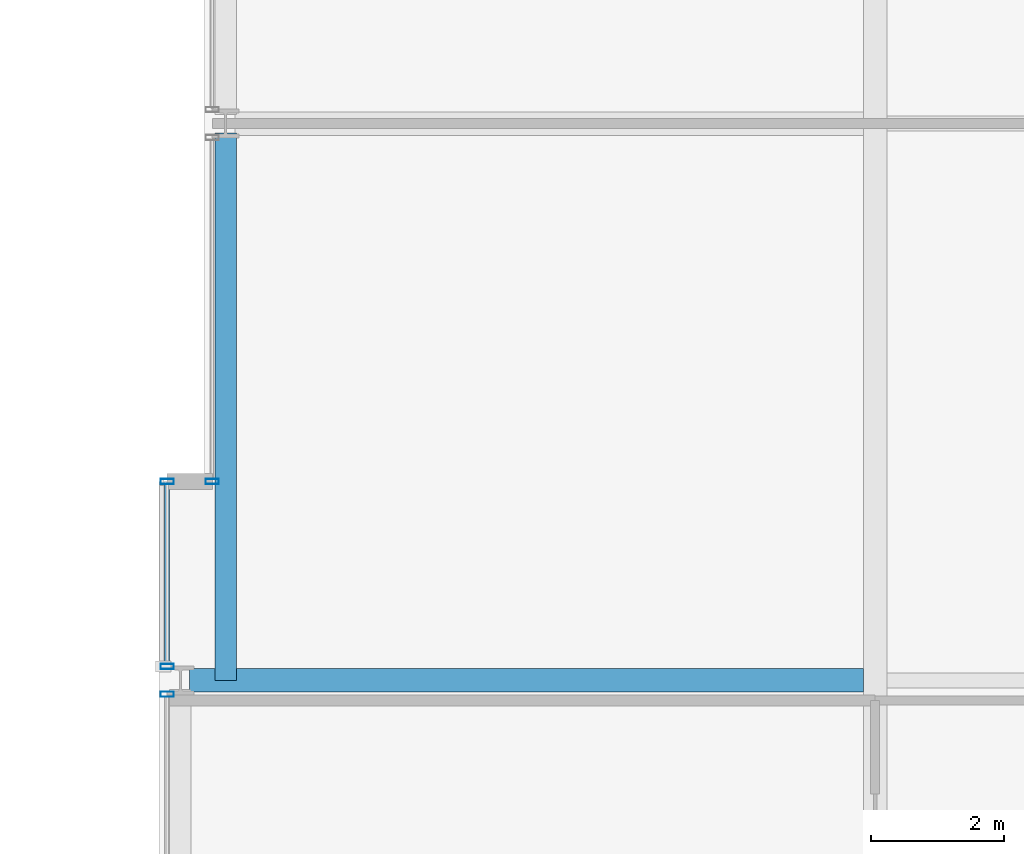
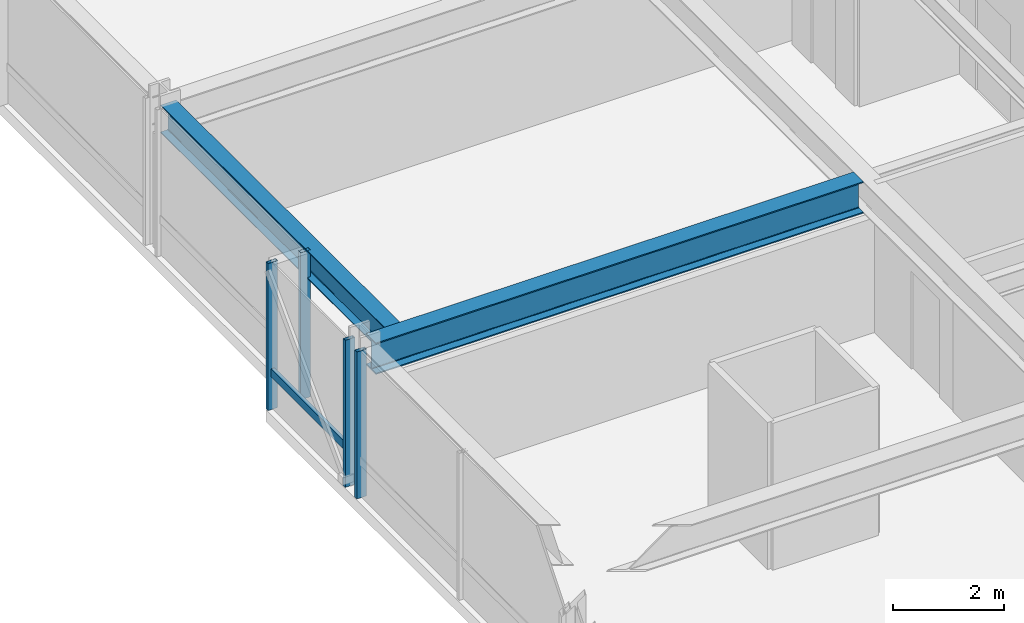
# One storey, part 7 of 34: 5 members, 2 beams, 3 elements without a shape of their own.
"""IFC4 building model written with IfcOpenShell, lengths in metres."""

from ifc_helpers import new_model, si_unit, direction, frame, origin, origin_2d, place, context, subcontext, project, spatial, hollow_rectangle, i_section, extrude, material, layer, layer_set, material_profile, profile_set, type_object, element, aggregate, save


model = new_model("IFC4")

# Units and contexts
model_context = context("Model", 3, precision=1e-05, world=origin(), true_north=direction((0.0, 1.0)))
body_context = subcontext(model_context, "Body", "Model", "MODEL_VIEW")
ifc_project = project(units=[si_unit("LENGTHUNIT", "METRE"), si_unit("AREAUNIT", "SQUARE_METRE"), si_unit("VOLUMEUNIT", "CUBIC_METRE"), si_unit("PLANEANGLEUNIT", "RADIAN"), si_unit("MASSUNIT", "GRAM", prefix="KILO")], contexts=[model_context])

# Site, building, storey
site_placement = place(None, origin())
site = spatial("IfcSite", under=ifc_project, at=site_placement, CompositionType="ELEMENT")
building_placement = place(site_placement, origin())
building = spatial("IfcBuilding", under=site, at=building_placement, Name="Drelvath Grand Hotel", CompositionType="ELEMENT")
storey_placement = place(building_placement, frame((0.0, 0.0, 126.800048828125)))
storey = spatial("IfcBuildingStorey", under=building, at=storey_placement, Name="L32", CompositionType="ELEMENT", Elevation=126.800048828125)

# Curtain wall, member
ifc_material_1 = material(Name="Champagne Bronze Anodised Aluminium Frame", Category="aluminium")
ifc_layer = layer(ifc_material_1, 0.199951171875)
ifc_layer_set = layer_set([ifc_layer], Name="Champagne Bronze Anodised Aluminium Frame")
curtain_wall_type = type_object("IfcCurtainWallType", Name="Stick Curtain Wall CW-03 Champagne Bronze Mid-Rise", PredefinedType="NOTDEFINED", material=ifc_layer_set)
curtain_wall_1_placement = place(storey_placement, origin())
curtain_wall_1 = element("IfcCurtainWall", 1, at=curtain_wall_1_placement, inside=storey, type_object=curtain_wall_type, Name="L32 CW-03 Curtain Wall CW03-L32-WS3", PredefinedType="NOTDEFINED")
ifc_material_profile_1 = material_profile(ifc_material_1, hollow_rectangle(XDim=0.074951171875, YDim=0.179931640625, WallThickness=0.0048828125, at=origin_2d()), Name="HSS180X75X5")
ifc_profile_set_1 = profile_set([ifc_material_profile_1], Name="Champagne Bronze Anodised Aluminium Frame")
member_type_1 = type_object("IfcMemberType", Name="Curtain Wall Horizontal Transom CW-03 HSS180X75X5", PredefinedType="USERDEFINED", material=ifc_profile_set_1)
member_1_placement = place(storey_placement, frame((-26.8798828125, 18.849365234375, 0.81005859375), z_axis=(0.0, 1.0, 0.0), x_axis=(-1.0, 0.0, 0.0)))
member_1 = element("IfcMember", 2, at=member_1_placement, type_object=member_type_1, Name="CW03-L32-WS3 Sill Transom", ObjectType="TRANSOM", PredefinedType="USERDEFINED", context=body_context, shape_type="SweptSolid", body=[
    extrude(hollow_rectangle(XDim=0.074951171875, YDim=0.179931640625, WallThickness=0.0048828125, at=origin_2d()), origin(), (0.0, 0.0, 1.0), 2.710693359375),
])

curtain_wall_2_placement = place(storey_placement, origin())
curtain_wall_2 = element("IfcCurtainWall", 3, at=curtain_wall_2_placement, inside=storey, type_object=curtain_wall_type, Name="L32 CW-03 Curtain Wall CW03-L32-WS2", PredefinedType="NOTDEFINED")
ifc_material_profile_2 = material_profile(ifc_material_1, hollow_rectangle(XDim=0.080078125, YDim=0.199951171875, WallThickness=0.0048828125, at=origin_2d()), Name="HSS200X80X5")
ifc_profile_set_2 = profile_set([ifc_material_profile_2], Name="Champagne Bronze Anodised Aluminium Frame")
member_type_2 = type_object("IfcMemberType", Name="Curtain Wall Vertical Mullion CW-03 HSS200X80X5", PredefinedType="MULLION", material=ifc_profile_set_2)
member_2_placement = place(storey_placement, frame((-26.8798828125, 18.390625, 0.0), z_axis=(0.0, 0.0, 1.0), x_axis=(0.0, 1.0, 0.0)))
member_2 = element("IfcMember", 4, at=member_2_placement, type_object=member_type_2, Name="CW03-L32-WS2 Mullion 3", PredefinedType="MULLION", context=body_context, shape_type="SweptSolid", body=[
    extrude(hollow_rectangle(XDim=0.080078125, YDim=0.199951171875, WallThickness=0.0048828125, at=origin_2d()), origin(), (0.0, 0.0, 1.0), 3.239990234375),
])
aggregate(curtain_wall_2, [member_2])

# Member
member_3_placement = place(storey_placement, frame((-26.8798828125, 18.809326171875, 0.0), z_axis=(0.0, 0.0, 1.0), x_axis=(0.0, 1.0, 0.0)))
member_3 = element("IfcMember", 5, at=member_3_placement, type_object=member_type_2, Name="CW03-L32-WS3 Mullion 1", PredefinedType="MULLION", context=body_context, shape_type="SweptSolid", body=[
    extrude(hollow_rectangle(XDim=0.080078125, YDim=0.199951171875, WallThickness=0.0048828125, at=origin_2d()), origin(), (0.0, 0.0, 1.0), 3.239990234375),
])

member_4_placement = place(storey_placement, frame((-26.8798828125, 21.60009765625, 0.0), z_axis=(0.0, 0.0, 1.0), x_axis=(0.0, 1.0, 0.0)))
member_4 = element("IfcMember", 6, at=member_4_placement, type_object=member_type_2, Name="CW03-L32-WS3 Mullion 2", PredefinedType="MULLION", context=body_context, shape_type="SweptSolid", body=[
    extrude(hollow_rectangle(XDim=0.080078125, YDim=0.199951171875, WallThickness=0.0048828125, at=origin_2d()), origin(), (0.0, 0.0, 1.0), 3.239990234375),
])

aggregate(curtain_wall_1, [member_3, member_4, member_1])

# Curtain wall, member
curtain_wall_3_placement = place(storey_placement, origin())
curtain_wall_3 = element("IfcCurtainWall", 7, at=curtain_wall_3_placement, inside=storey, type_object=curtain_wall_type, Name="L32 CW-03 Curtain Wall CW03-L32-WM1", PredefinedType="NOTDEFINED")
member_5_placement = place(storey_placement, frame((-26.199951171875, 21.60009765625, 0.0), z_axis=(0.0, 0.0, 1.0), x_axis=(0.0, 1.0, 0.0)))
member_5 = element("IfcMember", 8, at=member_5_placement, type_object=member_type_2, Name="CW03-L32-WM1 Mullion 1", PredefinedType="MULLION", context=body_context, shape_type="SweptSolid", body=[
    extrude(hollow_rectangle(XDim=0.080078125, YDim=0.199951171875, WallThickness=0.0048828125, at=origin_2d()), origin(), (0.0, 0.0, 1.0), 3.239990234375),
])
aggregate(curtain_wall_3, [member_5])

# Beams
ifc_material_2 = material(Name="Steel ASTM A992 Gr 50", Category="steel")
ifc_material_profile_3 = material_profile(ifc_material_2, i_section(OverallWidth=0.323974609375, OverallDepth=0.611083984375, WebThickness=0.0126953125, FlangeThickness=0.01904296875, FilletRadius=0.02197265625, at=origin_2d()), Name="W24X104")
ifc_profile_set_3 = profile_set([ifc_material_profile_3], Name="Steel ASTM A992 Gr 50")
beam_type_1 = type_object("IfcBeamType", Name="Perimeter Spandrel Beam W24X104", PredefinedType="SPANDREL", material=ifc_profile_set_3)
beam_1_placement = place(storey_placement, frame((-26.0, 18.60009765625, 2.934326171875), z_axis=(0.0, 1.0, 0.0), x_axis=(-1.0, 0.0, 0.0)))
element("IfcBeam", 9, at=beam_1_placement, inside=storey, type_object=beam_type_1, Name="L32 Spandrel West Mid S", PredefinedType="SPANDREL", context=body_context, shape_type="SweptSolid", body=[
    extrude(i_section(OverallWidth=0.323974609375, OverallDepth=0.611083984375, WebThickness=0.0126953125, FlangeThickness=0.01904296875, FilletRadius=0.02197265625, at=origin_2d()), origin(), (0.0, 0.0, 1.0), 8.260009765625),
])
ifc_material_profile_4 = material_profile(ifc_material_2, i_section(OverallWidth=0.354736328125, OverallDepth=0.695556640625, WebThickness=0.015380859375, FlangeThickness=0.025146484375, FilletRadius=0.02392578125, at=origin_2d()), Name="W27X146")
ifc_profile_set_4 = profile_set([ifc_material_profile_4], Name="Steel ASTM A992 Gr 50")
beam_type_2 = type_object("IfcBeamType", Name="Primary Floor Girder W27X146", PredefinedType="BEAM", material=ifc_profile_set_4)
beam_2_placement = place(storey_placement, frame((-26.5400390625, 18.60009765625, 2.892333984375), z_axis=(1.0, 0.0, 0.0), x_axis=(0.0, 1.0, 0.0)))
element("IfcBeam", 10, at=beam_2_placement, inside=storey, type_object=beam_type_2, Name="L32 West Wing Girder D", PredefinedType="BEAM", context=body_context, shape_type="SweptSolid", body=[
    extrude(i_section(OverallWidth=0.354736328125, OverallDepth=0.695556640625, WebThickness=0.015380859375, FlangeThickness=0.025146484375, FilletRadius=0.02392578125, at=origin_2d()), origin(), (0.0, 0.0, 1.0), 10.16259765625),
])

save(model, "model.ifc")
